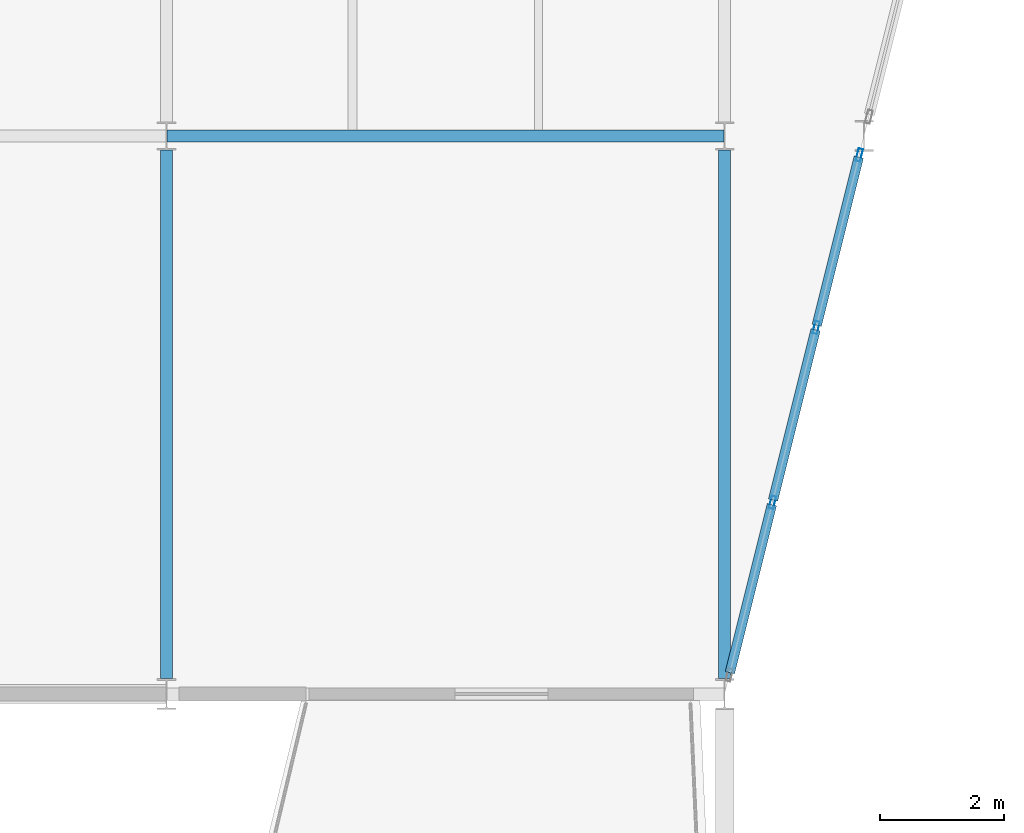
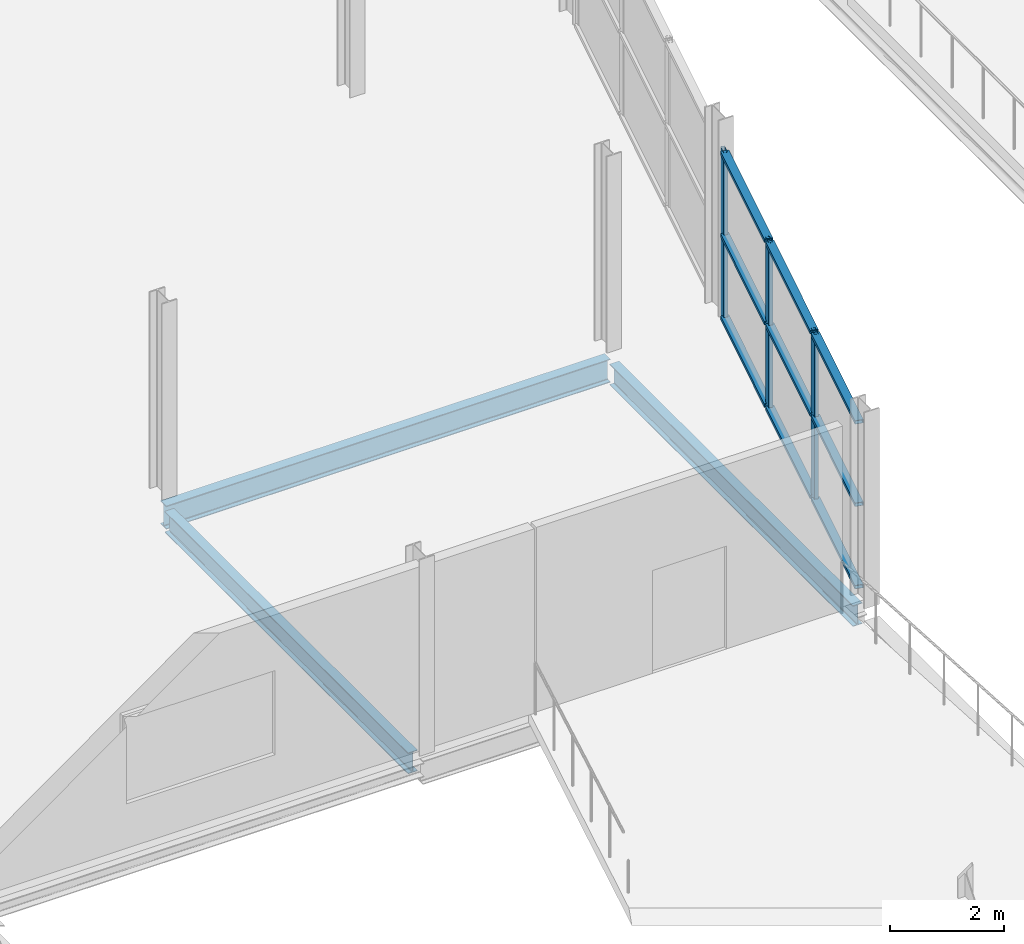
# One storey, part 51 of 135: 12 members, 3 beams, 1 element without a shape of its own.
"""IFC4 building model written with IfcOpenShell, lengths in metres."""

from ifc_helpers import new_model, si_unit, direction, frame, origin, origin_2d, place, context, subcontext, project, spatial, hollow_rectangle, i_section, extrude, material, layer, layer_set, material_profile, profile_set, type_object, element, aggregate, save


model = new_model("IFC4")

# Units and contexts
model_context = context("Model", 3, precision=1e-05, world=origin(), true_north=direction((0.0, 1.0)))
body_context = subcontext(model_context, "Body", "Model", "MODEL_VIEW")
ifc_project = project(units=[si_unit("LENGTHUNIT", "METRE"), si_unit("AREAUNIT", "SQUARE_METRE"), si_unit("VOLUMEUNIT", "CUBIC_METRE"), si_unit("PLANEANGLEUNIT", "RADIAN"), si_unit("MASSUNIT", "GRAM", prefix="KILO")], contexts=[model_context])

# Site, building, storey
site_placement = place(None, origin())
site = spatial("IfcSite", under=ifc_project, at=site_placement, CompositionType="ELEMENT")
building_placement = place(site_placement, origin())
building = spatial("IfcBuilding", under=site, at=building_placement, Name="Deido Ridge Mobility Hub", CompositionType="ELEMENT")
storey_placement = place(building_placement, frame((0.0, 0.0, 4.199951171875)))
storey = spatial("IfcBuildingStorey", under=building, at=storey_placement, Name="L01", CompositionType="ELEMENT", Elevation=4.199951171875)

# Beams
ifc_material_1 = material(Name="Steel S355J2 EN 10025-2", Category="steel")
ifc_material_profile_1 = material_profile(ifc_material_1, i_section(OverallWidth=0.18994140625, OverallDepth=0.449951171875, WebThickness=0.009521484375, FlangeThickness=0.0146484375, FilletRadius=0.02099609375, at=origin_2d()), Name="IPE 450")
ifc_profile_set_1 = profile_set([ifc_material_profile_1], Name="Steel S355J2 EN 10025-2")
beam_type_1 = type_object("IfcBeamType", Name="BM-IPE450", PredefinedType="BEAM", material=ifc_profile_set_1)
for number, where, z_axis, x_axis, name in (
    (1, (36.0, 45.25, -0.474853515625), (0.0, 1.0, 0.0), (-1.0, 0.0, 0.0), "Floor beam B4"),
    (2, (45.0, 45.25, -0.474853515625), (0.0, 1.0, 0.0), (-1.0, 0.0, 0.0), "Floor beam B4"),
):
    element("IfcBeam", number, at=place(storey_placement, frame(where, z_axis=z_axis, x_axis=x_axis)), inside=storey, type_object=beam_type_1, Name=name, PredefinedType="BEAM", context=body_context, shape_type="SweptSolid", body=[
        extrude(i_section(OverallWidth=0.18994140625, OverallDepth=0.449951171875, WebThickness=0.009521484375, FlangeThickness=0.0146484375, FilletRadius=0.02099609375, at=origin_2d()), origin(), (0.0, 0.0, 1.0), 8.52490234375),
    ])
ifc_material_profile_2 = material_profile(ifc_material_1, i_section(OverallWidth=0.199951171875, OverallDepth=0.5, WebThickness=0.01025390625, FlangeThickness=0.01611328125, FilletRadius=0.02099609375, at=origin_2d()), Name="IPE 500")
ifc_profile_set_2 = profile_set([ifc_material_profile_2], Name="Steel S355J2 EN 10025-2")
beam_type_2 = type_object("IfcBeamType", Name="BM-IPE500", PredefinedType="BEAM", material=ifc_profile_set_2)
beam_placement = place(storey_placement, frame((36.007080078125, 54.0, -0.5), z_axis=(1.0, 0.0, 0.0), x_axis=(0.0, 1.0, 0.0)))
element("IfcBeam", 3, at=beam_placement, inside=storey, type_object=beam_type_2, Name="Floor beam B3", PredefinedType="BEAM", context=body_context, shape_type="SweptSolid", body=[
    extrude(i_section(OverallWidth=0.199951171875, OverallDepth=0.5, WebThickness=0.01025390625, FlangeThickness=0.01611328125, FilletRadius=0.02099609375, at=origin_2d()), origin(), (0.0, 0.0, 1.0), 8.98583984375),
])

# Curtain wall, members
ifc_material_2 = material(Name="Anodised aluminium EN AW-6063 T6", Category="aluminium")
ifc_layer = layer(ifc_material_2, 0.22509765625, Name="Anodised aluminium EN AW-6063 T6")
ifc_layer_set = layer_set([ifc_layer], Name="Anodised aluminium EN AW-6063 T6")
curtain_wall_type = type_object("IfcCurtainWallType", Name="CW-UF-5", PredefinedType="USERDEFINED", material=ifc_layer_set)
curtain_wall_placement = place(storey_placement, origin())
curtain_wall = element("IfcCurtainWall", 4, at=curtain_wall_placement, inside=storey, type_object=curtain_wall_type, Name="Unitised curtain wall CW5", ObjectType="UNITISED FACADE", PredefinedType="USERDEFINED")
ifc_material_profile_3 = material_profile(ifc_material_2, hollow_rectangle(XDim=0.074951171875, YDim=0.205078125, WallThickness=0.00390625, at=origin_2d()), Name="RHS 75x205x4")
ifc_profile_set_3 = profile_set([ifc_material_profile_3], Name="Anodised aluminium EN AW-6063 T6")
member_type_1 = type_object("IfcMemberType", Name="MEM-MUL-75X205", PredefinedType="MULLION", material=ifc_profile_set_3)
member_1_placement = place(storey_placement, frame((45.7724609375, 48.090087890625, 0.0), z_axis=(0.0, 0.0, 1.0), x_axis=(-0.970139801497, 0.242546419373, 0.0)))
member_1 = element("IfcMember", 5, at=member_1_placement, type_object=member_type_1, Name="CW5 mullion 2", PredefinedType="MULLION", context=body_context, shape_type="SweptSolid", body=[
    extrude(hollow_rectangle(XDim=0.074951171875, YDim=0.205078125, WallThickness=0.00390625, at=origin_2d()), origin(), (0.0, 0.0, 1.0), 3.60009765625),
])
member_2_placement = place(storey_placement, frame((46.4775390625, 50.909912109375, 0.0), z_axis=(0.0, 0.0, 1.0), x_axis=(-0.970139801497, 0.242546419373, 0.0)))
member_2 = element("IfcMember", 6, at=member_2_placement, type_object=member_type_1, Name="CW5 mullion 3", PredefinedType="MULLION", context=body_context, shape_type="SweptSolid", body=[
    extrude(hollow_rectangle(XDim=0.074951171875, YDim=0.205078125, WallThickness=0.00390625, at=origin_2d()), origin(), (0.0, 0.0, 1.0), 3.60009765625),
])
member_3_placement = place(storey_placement, frame((47.17333984375, 53.693115234375, 0.0), z_axis=(0.0, 0.0, 1.0), x_axis=(-0.970139801497, 0.242546419373, 0.0)))
member_3 = element("IfcMember", 7, at=member_3_placement, type_object=member_type_1, Name="CW5 mullion 4", PredefinedType="MULLION", context=body_context, shape_type="SweptSolid", body=[
    extrude(hollow_rectangle(XDim=0.074951171875, YDim=0.205078125, WallThickness=0.00390625, at=origin_2d()), origin(), (0.0, 0.0, 1.0), 3.60009765625),
])
ifc_material_profile_4 = material_profile(ifc_material_2, hollow_rectangle(XDim=0.155029296875, YDim=0.074951171875, WallThickness=0.00390625, at=origin_2d()), Name="RHS 155x75x4")
ifc_profile_set_4 = profile_set([ifc_material_profile_4], Name="Anodised aluminium EN AW-6063 T6")
member_type_2 = type_object("IfcMemberType", Name="MEM-TRN-155X75", PredefinedType="USERDEFINED", material=ifc_profile_set_4)
member_4_placement = place(storey_placement, frame((45.085693359375, 45.34326171875, 0.03759765625), z_axis=(0.242576746491, 0.970132218856, 0.0), x_axis=(-0.970132218856, 0.242576746491, 0.0)))
member_4 = element("IfcMember", 8, at=member_4_placement, type_object=member_type_2, Name="CW5 transom 1.1", ObjectType="TRANSOM", PredefinedType="USERDEFINED", context=body_context, shape_type="SweptSolid", body=[
    extrude(hollow_rectangle(XDim=0.155029296875, YDim=0.074951171875, WallThickness=0.00390625, at=origin_2d()), origin(), (0.0, 0.0, 1.0), 2.7939453125),
])
member_5_placement = place(storey_placement, frame((45.085693359375, 45.34326171875, 1.800048828125), z_axis=(0.242576746491, 0.970132218856, 0.0), x_axis=(-0.970132218856, 0.242576746491, 0.0)))
member_5 = element("IfcMember", 9, at=member_5_placement, type_object=member_type_2, Name="CW5 transom 1.2", ObjectType="TRANSOM", PredefinedType="USERDEFINED", context=body_context, shape_type="SweptSolid", body=[
    extrude(hollow_rectangle(XDim=0.155029296875, YDim=0.074951171875, WallThickness=0.00390625, at=origin_2d()), origin(), (0.0, 0.0, 1.0), 2.7939453125),
])
member_6_placement = place(storey_placement, frame((45.085693359375, 45.34326171875, 3.5625), z_axis=(0.242576746491, 0.970132218856, 0.0), x_axis=(-0.970132218856, 0.242576746491, 0.0)))
member_6 = element("IfcMember", 10, at=member_6_placement, type_object=member_type_2, Name="CW5 transom 1.3", ObjectType="TRANSOM", PredefinedType="USERDEFINED", context=body_context, shape_type="SweptSolid", body=[
    extrude(hollow_rectangle(XDim=0.155029296875, YDim=0.074951171875, WallThickness=0.00390625, at=origin_2d()), origin(), (0.0, 0.0, 1.0), 2.7939453125),
])
member_7_placement = place(storey_placement, frame((45.78173828125, 48.12646484375, 0.03759765625), z_axis=(0.242454474669, 0.970162784131, 0.0), x_axis=(-0.970162784131, 0.242454474669, 0.0)))
member_7 = element("IfcMember", 11, at=member_7_placement, type_object=member_type_2, Name="CW5 transom 2.1", ObjectType="TRANSOM", PredefinedType="USERDEFINED", context=body_context, shape_type="SweptSolid", body=[
    extrude(hollow_rectangle(XDim=0.155029296875, YDim=0.074951171875, WallThickness=0.00390625, at=origin_2d()), origin(), (0.0, 0.0, 1.0), 2.83154296875),
])
member_8_placement = place(storey_placement, frame((45.78173828125, 48.12646484375, 1.800048828125), z_axis=(0.242454474669, 0.970162784131, 0.0), x_axis=(-0.970162784131, 0.242454474669, 0.0)))
member_8 = element("IfcMember", 12, at=member_8_placement, type_object=member_type_2, Name="CW5 transom 2.2", ObjectType="TRANSOM", PredefinedType="USERDEFINED", context=body_context, shape_type="SweptSolid", body=[
    extrude(hollow_rectangle(XDim=0.155029296875, YDim=0.074951171875, WallThickness=0.00390625, at=origin_2d()), origin(), (0.0, 0.0, 1.0), 2.83154296875),
])
member_9_placement = place(storey_placement, frame((45.78173828125, 48.12646484375, 3.5625), z_axis=(0.242454474669, 0.970162784131, 0.0), x_axis=(-0.970162784131, 0.242454474669, 0.0)))
member_9 = element("IfcMember", 13, at=member_9_placement, type_object=member_type_2, Name="CW5 transom 2.3", ObjectType="TRANSOM", PredefinedType="USERDEFINED", context=body_context, shape_type="SweptSolid", body=[
    extrude(hollow_rectangle(XDim=0.155029296875, YDim=0.074951171875, WallThickness=0.00390625, at=origin_2d()), origin(), (0.0, 0.0, 1.0), 2.83154296875),
])
member_10_placement = place(storey_placement, frame((46.486572265625, 50.9462890625, 0.03759765625), z_axis=(0.242576746491, 0.970132218856, 0.0), x_axis=(-0.970132218856, 0.242576746491, 0.0)))
member_10 = element("IfcMember", 14, at=member_10_placement, type_object=member_type_2, Name="CW5 transom 3.1", ObjectType="TRANSOM", PredefinedType="USERDEFINED", context=body_context, shape_type="SweptSolid", body=[
    extrude(hollow_rectangle(XDim=0.155029296875, YDim=0.074951171875, WallThickness=0.00390625, at=origin_2d()), origin(), (0.0, 0.0, 1.0), 2.7939453125),
])
member_11_placement = place(storey_placement, frame((46.486572265625, 50.9462890625, 1.800048828125), z_axis=(0.242576746491, 0.970132218856, 0.0), x_axis=(-0.970132218856, 0.242576746491, 0.0)))
member_11 = element("IfcMember", 15, at=member_11_placement, type_object=member_type_2, Name="CW5 transom 3.2", ObjectType="TRANSOM", PredefinedType="USERDEFINED", context=body_context, shape_type="SweptSolid", body=[
    extrude(hollow_rectangle(XDim=0.155029296875, YDim=0.074951171875, WallThickness=0.00390625, at=origin_2d()), origin(), (0.0, 0.0, 1.0), 2.7939453125),
])
member_12_placement = place(storey_placement, frame((46.486572265625, 50.9462890625, 3.5625), z_axis=(0.242576746491, 0.970132218856, 0.0), x_axis=(-0.970132218856, 0.242576746491, 0.0)))
member_12 = element("IfcMember", 16, at=member_12_placement, type_object=member_type_2, Name="CW5 transom 3.3", ObjectType="TRANSOM", PredefinedType="USERDEFINED", context=body_context, shape_type="SweptSolid", body=[
    extrude(hollow_rectangle(XDim=0.155029296875, YDim=0.074951171875, WallThickness=0.00390625, at=origin_2d()), origin(), (0.0, 0.0, 1.0), 2.7939453125),
])
aggregate(curtain_wall, [member_1, member_2, member_3, member_4, member_5, member_6, member_7, member_8, member_9, member_10, member_11, member_12])

save(model, "model.ifc")
